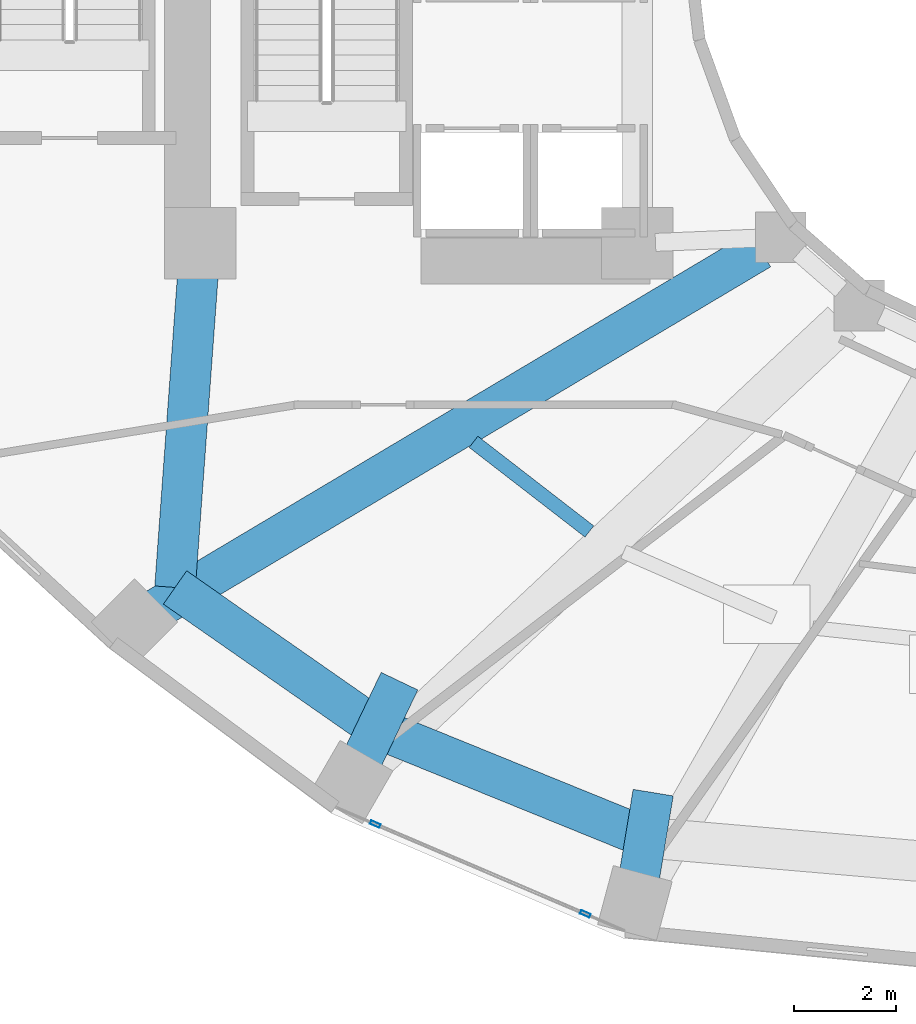
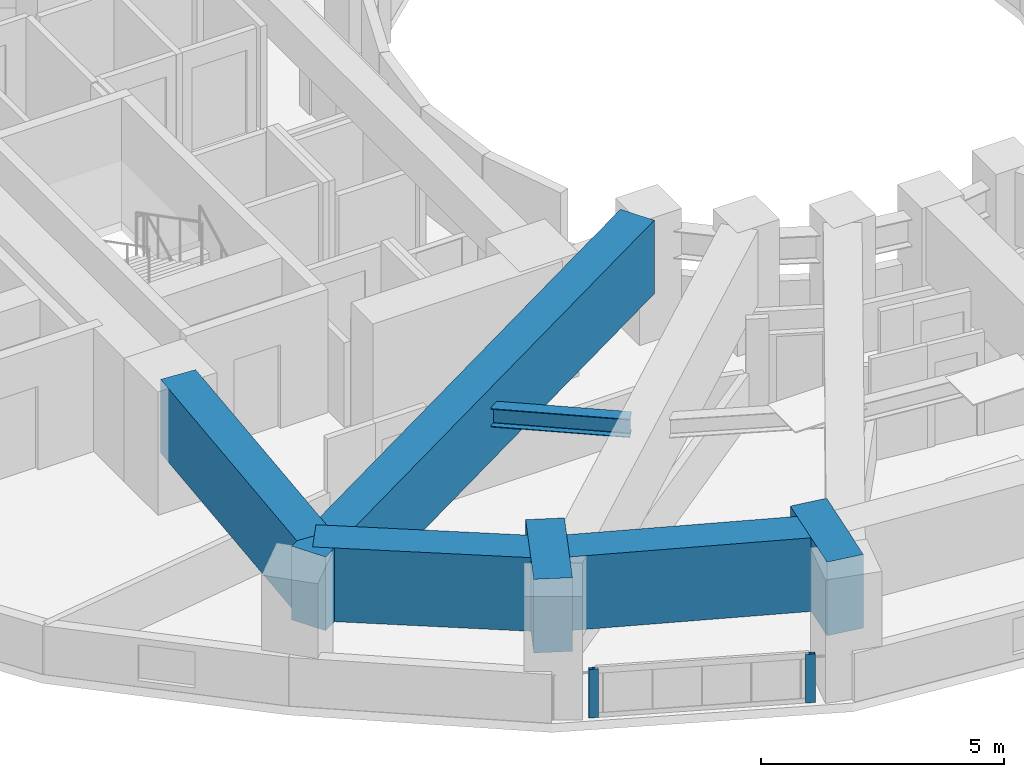
# One storey, part 2 of 16: 7 beams, 2 members, 1 element without a shape of its own.
"""IFC4 building model written with IfcOpenShell, lengths in metres."""

from ifc_helpers import new_model, si_unit, direction, frame, origin, origin_2d, place, context, subcontext, project, spatial, rectangle, hollow_rectangle, i_section, extrude, material, layer, layer_set, material_profile, profile_set, type_object, element, aggregate, save


model = new_model("IFC4")

# Units and contexts
model_context = context("Model", 3, precision=1e-05, world=origin(), true_north=direction((0.0, 1.0)))
body_context = subcontext(model_context, "Body", "Model", "MODEL_VIEW")
ifc_project = project(units=[si_unit("LENGTHUNIT", "METRE"), si_unit("AREAUNIT", "SQUARE_METRE"), si_unit("VOLUMEUNIT", "CUBIC_METRE"), si_unit("PLANEANGLEUNIT", "RADIAN"), si_unit("MASSUNIT", "GRAM", prefix="KILO")], contexts=[model_context])

# Site, building, storey
site_placement = place(None, origin())
site = spatial("IfcSite", under=ifc_project, at=site_placement, CompositionType="ELEMENT")
building_placement = place(site_placement, origin())
building = spatial("IfcBuilding", under=site, at=building_placement, Name="Solvane Sanctuary Tower", CompositionType="ELEMENT")
storey_placement = place(building_placement, frame((0.0, 0.0, 61.699951171875)))
storey = spatial("IfcBuildingStorey", under=building, at=storey_placement, Name="L18", CompositionType="ELEMENT", Elevation=61.699951171875)

# Beams
ifc_material_1 = material(Name="Steel ASTM A992 Grade 50", Category="steel")
ifc_material_profile_1 = material_profile(ifc_material_1, i_section(OverallWidth=0.280029296875, OverallDepth=0.462890625, WebThickness=0.0107421875, FlangeThickness=0.017333984375, FilletRadius=0.013916015625, at=origin_2d()), Name="W18X76")
ifc_profile_set_1 = profile_set([ifc_material_profile_1], Name="Steel ASTM A992 Grade 50")
beam_type_1 = type_object("IfcBeamType", Name="Beam B-SEC-JOIST W18X76", PredefinedType="JOIST", material=ifc_profile_set_1)
beam_1_placement = place(storey_placement, frame((20.678955078125, 12.990478515625, 2.366455078125), z_axis=(0.790895585788, -0.611951119274, 0.0), x_axis=(0.611951119274, 0.790895585788, 0.0)))
element("IfcBeam", 1, at=beam_1_placement, inside=storey, type_object=beam_type_1, Name="L18 Secondary Circumferential Joist 08-09", PredefinedType="JOIST", context=body_context, shape_type="SweptSolid", body=[
    extrude(i_section(OverallWidth=0.280029296875, OverallDepth=0.462890625, WebThickness=0.0107421875, FlangeThickness=0.017333984375, FilletRadius=0.013916015625, at=origin_2d()), origin(), (0.0, 0.0, 1.0), 2.8828125),
])
ifc_material_2 = material(Name="Concrete C70/85", Category="concrete")
ifc_material_profile_2 = material_profile(ifc_material_2, rectangle(XDim=0.800048828125, YDim=1.85009765625, at=origin_2d()), Name="RC800X1850")
ifc_profile_set_2 = profile_set([ifc_material_profile_2], Name="Concrete C70/85")
beam_type_2 = type_object("IfcBeamType", Name="Beam B-XFER-BLK RC800X1850", PredefinedType="BEAM", material=ifc_profile_set_2)
beam_2_placement = place(storey_placement, frame((26.3212890625, 16.777587890625, 2.175048828125), z_axis=(-0.859229976907, -0.511589529588, 0.0), x_axis=(0.511589529588, -0.859229976907, 0.0)))
element("IfcBeam", 2, at=beam_2_placement, inside=storey, type_object=beam_type_2, Name="L18 Block-Shift Radial Transfer Girder 08A", PredefinedType="BEAM", context=body_context, shape_type="SweptSolid", body=[
    extrude(rectangle(XDim=0.800048828125, YDim=1.85009765625, at=origin_2d()), origin(), (0.0, 0.0, 1.0), 13.850341796875),
])
for number, where, z_axis, x_axis, name in (
    (3, (18.29443359375, 6.341064453125, 2.175048828125), (0.431612192933, 0.902059263525, 0.0), (-0.902059263525, 0.431612192933, 0.0), "L18 Block-Shift Transfer Tie 09B"),
    (4, (23.86328125, 3.965576171875, 2.175048828125), (0.163515056138, 0.986540838697, 0.0), (-0.986540838697, 0.163515056138, 0.0), "L18 Block-Shift Transfer Tie 10B"),
):
    element("IfcBeam", number, at=place(storey_placement, frame(where, z_axis=z_axis, x_axis=x_axis)), inside=storey, type_object=beam_type_2, Name=name, PredefinedType="BEAM", context=body_context, shape_type="SweptSolid", body=[
        extrude(rectangle(XDim=0.800048828125, YDim=1.85009765625, at=origin_2d()), origin(), (0.0, 0.0, 1.0), 2.150146484375),
    ])
beam_3_placement = place(storey_placement, frame((15.273681640625, 16.541015625, 2.175048828125), z_axis=(-0.072824648783, -0.997344760115, 0.0), x_axis=(0.997344760115, -0.072824648783, 0.0)))
element("IfcBeam", 5, at=beam_3_placement, inside=storey, type_object=beam_type_2, Name="L18 Perimeter Step Transfer Ring CW1-NTC08", PredefinedType="BEAM", context=body_context, shape_type="SweptSolid", body=[
    extrude(rectangle(XDim=0.800048828125, YDim=1.85009765625, at=origin_2d()), origin(), (0.0, 0.0, 1.0), 6.433349609375),
])
beam_4_placement = place(storey_placement, frame((14.80517578125, 10.124755859375, 2.175048828125), z_axis=(0.820142352305, -0.57215952492, 0.0), x_axis=(0.57215952492, 0.820142352305, 0.0)))
element("IfcBeam", 6, at=beam_4_placement, inside=storey, type_object=beam_type_2, Name="L18 Perimeter Step Transfer Ring NTC08-NTC09", PredefinedType="BEAM", context=body_context, shape_type="SweptSolid", body=[
    extrude(rectangle(XDim=0.800048828125, YDim=1.85009765625, at=origin_2d()), origin(), (0.0, 0.0, 1.0), 4.8447265625),
])
beam_5_placement = place(storey_placement, frame((18.778564453125, 7.352783203125, 2.175048828125), z_axis=(0.92644001676, -0.376442419696, 0.0), x_axis=(0.376442419696, 0.92644001676, 0.0)))
element("IfcBeam", 7, at=beam_5_placement, inside=storey, type_object=beam_type_2, Name="L18 Perimeter Step Transfer Ring NTC09-NTC10", PredefinedType="BEAM", context=body_context, shape_type="SweptSolid", body=[
    extrude(rectangle(XDim=0.800048828125, YDim=1.85009765625, at=origin_2d()), origin(), (0.0, 0.0, 1.0), 5.709716796875),
])

# Curtain wall, members
ifc_material_3 = material(Name="Anodised Aluminium 6063-T6", Category="aluminium")
ifc_layer = layer(ifc_material_3, 0.169921875, Name="Anodised Aluminium 6063-T6")
ifc_layer_set = layer_set([ifc_layer], Name="Anodised Aluminium 6063-T6")
curtain_wall_type = type_object("IfcCurtainWallType", Name="Curtain Wall CW-FRIT-Z1", PredefinedType="NOTDEFINED", material=ifc_layer_set)
curtain_wall_placement = place(storey_placement, origin())
curtain_wall = element("IfcCurtainWall", 8, at=curtain_wall_placement, inside=storey, type_object=curtain_wall_type, Name="L18 CW-FRIT-Z1 Facade Run 16", PredefinedType="NOTDEFINED")
ifc_material_profile_3 = material_profile(ifc_material_3, hollow_rectangle(XDim=0.074951171875, YDim=0.199951171875, WallThickness=0.00390625, at=origin_2d()), Name="ALU200X75X4")
ifc_profile_set_3 = profile_set([ifc_material_profile_3], Name="Anodised Aluminium 6063-T6")
member_type = type_object("IfcMemberType", Name="Member M-CW-MUL-1 ALU200X75X4", PredefinedType="MULLION", material=ifc_profile_set_3)
member_1_placement = place(storey_placement, frame((18.74658203125, 5.466064453125, 0.0), z_axis=(0.0, 0.0, 1.0), x_axis=(0.392820282466, 0.919615259597, 0.0)))
member_1 = element("IfcMember", 9, at=member_1_placement, type_object=member_type, Name="CW-FRIT-Z1 mullion 1", PredefinedType="MULLION", context=body_context, shape_type="SweptSolid", body=[
    extrude(hollow_rectangle(XDim=0.074951171875, YDim=0.199951171875, WallThickness=0.00390625, at=origin_2d()), origin(), (0.0, 0.0, 1.0), 1.219970703125),
])
member_2_placement = place(storey_placement, frame((22.879638671875, 3.70068359375, 0.0), z_axis=(0.0, 0.0, 1.0), x_axis=(0.392820282466, 0.919615259597, 0.0)))
member_2 = element("IfcMember", 10, at=member_2_placement, type_object=member_type, Name="CW-FRIT-Z1 mullion 2", PredefinedType="MULLION", context=body_context, shape_type="SweptSolid", body=[
    extrude(hollow_rectangle(XDim=0.074951171875, YDim=0.199951171875, WallThickness=0.00390625, at=origin_2d()), origin(), (0.0, 0.0, 1.0), 1.219970703125),
])
aggregate(curtain_wall, [member_1, member_2])

save(model, "model.ifc")
